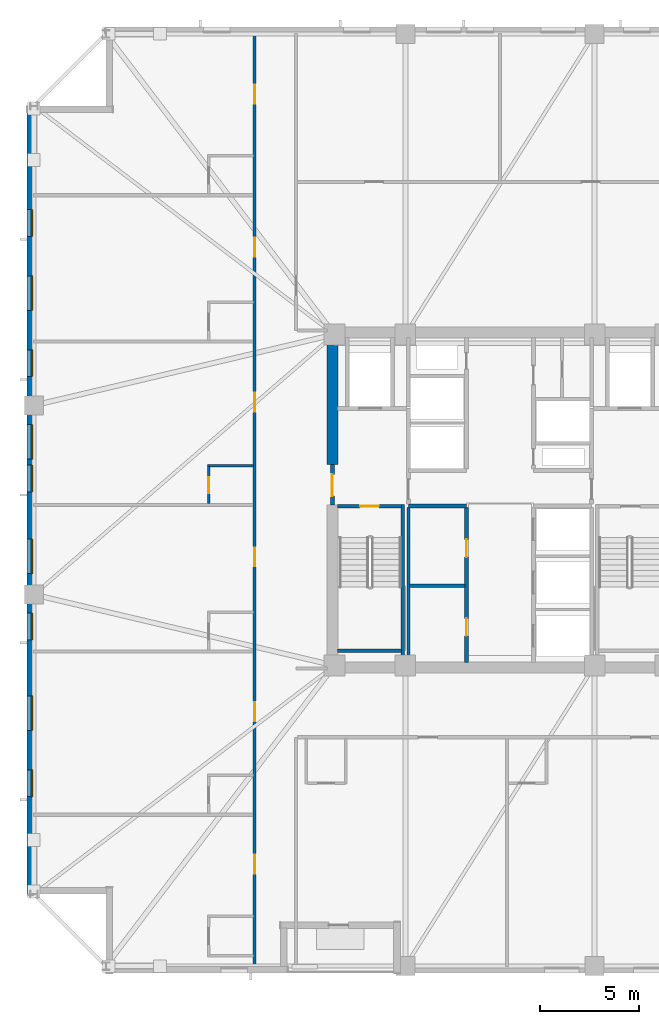
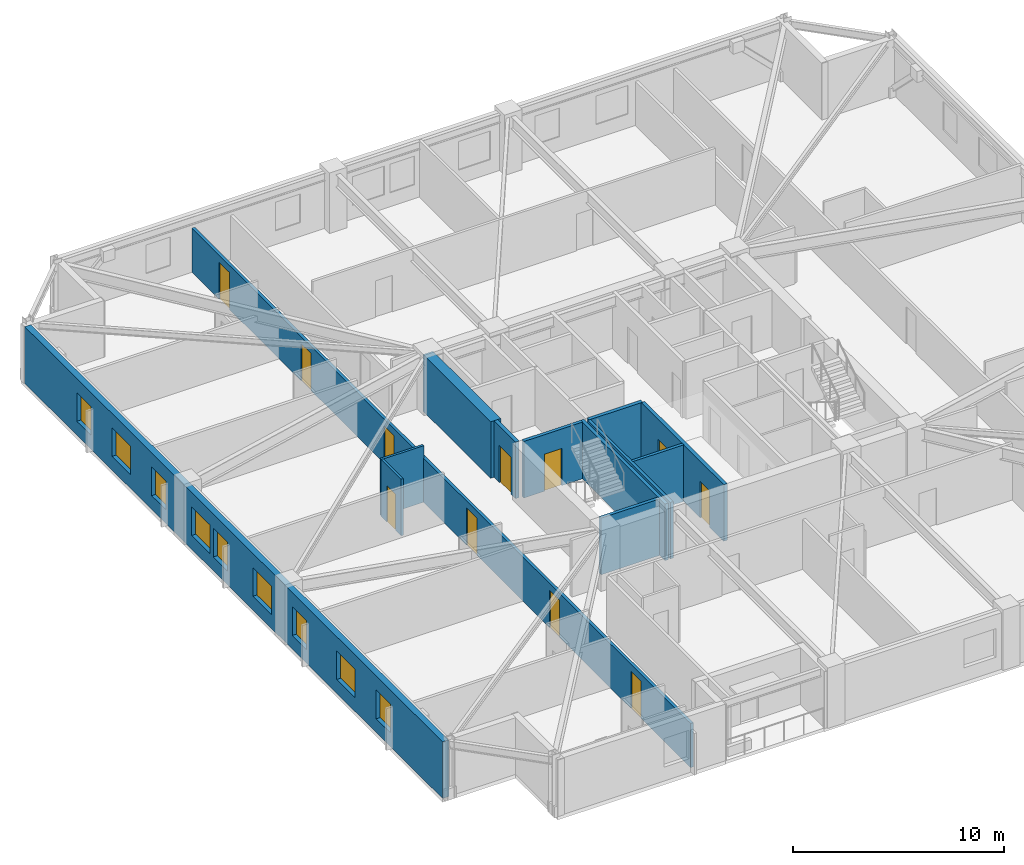
# One storey, part 3 of 11: 13 walls, 11 doors, 9 windows, 20 openings.
"""IFC4 building model written with IfcOpenShell, lengths in metres."""

from ifc_helpers import new_model, si_unit, direction, frame, frame_2d, origin, place, context, subcontext, project, spatial, rectangle, extrude, material, layer, layer_set, type_object, element, fill, save


model = new_model("IFC4")

# Units and contexts
model_context = context("Model", 3, precision=1e-05, world=origin(), true_north=direction((0.0, 1.0)))
body_context = subcontext(model_context, "Body", "Model", "MODEL_VIEW")
ifc_project = project(units=[si_unit("LENGTHUNIT", "METRE"), si_unit("AREAUNIT", "SQUARE_METRE"), si_unit("VOLUMEUNIT", "CUBIC_METRE"), si_unit("PLANEANGLEUNIT", "RADIAN"), si_unit("MASSUNIT", "GRAM", prefix="KILO")], contexts=[model_context])

# Site, building, storey
site_placement = place(None, origin())
site = spatial("IfcSite", under=ifc_project, at=site_placement, CompositionType="ELEMENT")
building_placement = place(site_placement, origin())
building = spatial("IfcBuilding", under=site, at=building_placement, Name="Cairnveth Concourse Tower", CompositionType="ELEMENT")
storey_placement = place(building_placement, frame((0.0, 0.0, 148.0)))
storey = spatial("IfcBuildingStorey", under=building, at=storey_placement, Name="L40", CompositionType="ELEMENT", Elevation=148.0)

# Walls
ifc_material_1 = material(Name="Gypsum Plasterboard Partition", Category="gypsum")
ifc_layer_1 = layer(ifc_material_1, 0.159912109375)
ifc_layer_set_1 = layer_set([ifc_layer_1], Name="Gypsum Plasterboard Partition")
wall_type_1 = type_object("IfcWallType", Name="ACOUSTIC PARTY WALL 180", PredefinedType="PARTITIONING", material=ifc_layer_set_1)
wall_1_placement = place(storey_placement, frame((47.35009765625, 30.760009765625, 0.0), z_axis=(0.0, 0.0, 1.0), x_axis=(0.0, 1.0, 0.0)))
element("IfcWall", 1, at=wall_1_placement, inside=storey, type_object=wall_type_1, Name="Interior Wall IW-L40-025", PredefinedType="PARTITIONING", context=body_context, shape_type="SweptSolid", body=[
    extrude(rectangle(XDim=7.85498046875, YDim=0.159912109375, at=frame_2d((3.927490234375, 0.0))), origin(), (0.0, 0.0, 1.0), 3.280029296875),
])
wall_2_placement = place(storey_placement, frame((47.4150390625, 34.64990234375, 0.0), z_axis=(0.0, 0.0, 1.0), x_axis=(1.0, 0.0, 0.0)))
element("IfcWall", 2, at=wall_2_placement, inside=storey, type_object=wall_type_1, Name="Interior Wall IW-L40-026", PredefinedType="PARTITIONING", context=body_context, shape_type="SweptSolid", body=[
    extrude(rectangle(XDim=2.800048828125, YDim=0.159912109375, at=frame_2d((1.39990234375, 0.0))), origin(), (0.0, 0.0, 1.0), 3.280029296875),
])

# Wall, openings, doors
wall_3_placement = place(storey_placement, frame((39.550048828125, 15.324951171875, 0.0), z_axis=(0.0, 0.0, 1.0), x_axis=(0.0, 1.0, 0.0)))
wall_3 = element("IfcWall", 3, at=wall_3_placement, inside=storey, type_object=wall_type_1, Name="Interior Wall IW-L40-037", PredefinedType="PARTITIONING", context=body_context, shape_type="SweptSolid", body=[
    extrude(rectangle(XDim=47.35009765625, YDim=0.159912109375, at=frame_2d((23.675048828125, 0.0))), origin(), (0.0, 0.0, 1.0), 2.554931640625),
])
opening_1_placement = place(wall_3_placement, frame((4.71826171875, 0.0, 0.0)))
opening_1 = element("IfcOpeningElement", 4, at=opening_1_placement, cuts=wall_3, Name="Opening ID09", PredefinedType="OPENING", context=body_context, shape_type="SweptSolid", body=[
    extrude(rectangle(XDim=0.9599609375, YDim=2.14990234375, at=frame_2d((0.47998046875, 1.074951171875))), frame((0.0, 0.08984375, 0.0), z_axis=(0.0, -1.0, 0.0), x_axis=(1.0, 0.0, 0.0)), (0.0, 0.0, 1.0), 0.179931640625),
])
opening_2_placement = place(wall_3_placement, frame((12.44091796875, 0.0, 0.0)))
opening_2 = element("IfcOpeningElement", 5, at=opening_2_placement, cuts=wall_3, Name="Opening ID09", PredefinedType="OPENING", context=body_context, shape_type="SweptSolid", body=[
    extrude(rectangle(XDim=0.9599609375, YDim=2.14990234375, at=frame_2d((0.47998046875, 1.074951171875))), frame((0.0, 0.08984375, 0.0), z_axis=(0.0, -1.0, 0.0), x_axis=(1.0, 0.0, 0.0)), (0.0, 0.0, 1.0), 0.179931640625),
])
opening_3_placement = place(wall_3_placement, frame((20.301025390625, 0.0, 0.0)))
opening_3 = element("IfcOpeningElement", 6, at=opening_3_placement, cuts=wall_3, Name="Opening ID09", PredefinedType="OPENING", context=body_context, shape_type="SweptSolid", body=[
    extrude(rectangle(XDim=0.9599609375, YDim=2.14990234375, at=frame_2d((0.47998046875, 1.074951171875))), frame((0.0, 0.08984375, 0.0), z_axis=(0.0, -1.0, 0.0), x_axis=(1.0, 0.0, 0.0)), (0.0, 0.0, 1.0), 0.179931640625),
])
opening_4_placement = place(wall_3_placement, frame((28.160888671875, 0.0, 0.0)))
opening_4 = element("IfcOpeningElement", 7, at=opening_4_placement, cuts=wall_3, Name="Opening ID09", PredefinedType="OPENING", context=body_context, shape_type="SweptSolid", body=[
    extrude(rectangle(XDim=0.9599609375, YDim=2.14990234375, at=frame_2d((0.47998046875, 1.074951171875))), frame((0.0, 0.08984375, 0.0), z_axis=(0.0, -1.0, 0.0), x_axis=(1.0, 0.0, 0.0)), (0.0, 0.0, 1.0), 0.179931640625),
])
opening_5_placement = place(wall_3_placement, frame((36.02099609375, 0.0, 0.0)))
opening_5 = element("IfcOpeningElement", 8, at=opening_5_placement, cuts=wall_3, Name="Opening ID09", PredefinedType="OPENING", context=body_context, shape_type="SweptSolid", body=[
    extrude(rectangle(XDim=0.9599609375, YDim=2.14990234375, at=frame_2d((0.47998046875, 1.074951171875))), frame((0.0, 0.08984375, 0.0), z_axis=(0.0, -1.0, 0.0), x_axis=(1.0, 0.0, 0.0)), (0.0, 0.0, 1.0), 0.179931640625),
])
opening_6_placement = place(wall_3_placement, frame((43.793212890625, 0.0, 0.0)))
opening_6 = element("IfcOpeningElement", 9, at=opening_6_placement, cuts=wall_3, Name="Opening ID09", PredefinedType="OPENING", context=body_context, shape_type="SweptSolid", body=[
    extrude(rectangle(XDim=0.9599609375, YDim=2.14990234375, at=frame_2d((0.47998046875, 1.074951171875))), frame((0.0, 0.08984375, 0.0), z_axis=(0.0, -1.0, 0.0), x_axis=(1.0, 0.0, 0.0)), (0.0, 0.0, 1.0), 0.179931640625),
])
ifc_material_2 = material(Name="Solid Core Hardwood Timber Leaf", Category="wood")
door_type_1 = type_object("IfcDoorType", Name="HOTEL ENTRANCE DOOR 960X2150", OperationType="NOTDEFINED", PredefinedType="DOOR", material=ifc_material_2)
door_1_placement = place(opening_1_placement, origin())
door_1 = element("IfcDoor", 10, at=door_1_placement, inside=storey, type_object=door_type_1, Name="Hotel Room Door L40-W1", OperationType="SINGLE_SWING_RIGHT", OverallHeight=2.14990234375, OverallWidth=0.9599609375, PredefinedType="DOOR", context=body_context, shape_type="SweptSolid", body=[
    extrude(rectangle(XDim=0.9599609375, YDim=2.14990234375, at=frame_2d((0.47998046875, 1.074951171875))), frame((0.0, 0.02490234375, 0.0), z_axis=(0.0, -1.0, 0.0), x_axis=(1.0, 0.0, 0.0)), (0.0, 0.0, 1.0), 0.050048828125),
])
fill(opening_1, door_1)
door_2_placement = place(opening_2_placement, origin())
door_2 = element("IfcDoor", 11, at=door_2_placement, inside=storey, type_object=door_type_1, Name="Hotel Room Door L40-W2", OperationType="SINGLE_SWING_RIGHT", OverallHeight=2.14990234375, OverallWidth=0.9599609375, PredefinedType="DOOR", context=body_context, shape_type="SweptSolid", body=[
    extrude(rectangle(XDim=0.9599609375, YDim=2.14990234375, at=frame_2d((0.47998046875, 1.074951171875))), frame((0.0, 0.02490234375, 0.0), z_axis=(0.0, -1.0, 0.0), x_axis=(1.0, 0.0, 0.0)), (0.0, 0.0, 1.0), 0.050048828125),
])
fill(opening_2, door_2)
door_3_placement = place(opening_3_placement, origin())
door_3 = element("IfcDoor", 12, at=door_3_placement, inside=storey, type_object=door_type_1, Name="Hotel Room Door L40-W3", OperationType="SINGLE_SWING_RIGHT", OverallHeight=2.14990234375, OverallWidth=0.9599609375, PredefinedType="DOOR", context=body_context, shape_type="SweptSolid", body=[
    extrude(rectangle(XDim=0.9599609375, YDim=2.14990234375, at=frame_2d((0.47998046875, 1.074951171875))), frame((0.0, 0.02490234375, 0.0), z_axis=(0.0, -1.0, 0.0), x_axis=(1.0, 0.0, 0.0)), (0.0, 0.0, 1.0), 0.050048828125),
])
fill(opening_3, door_3)
door_4_placement = place(opening_4_placement, origin())
door_4 = element("IfcDoor", 13, at=door_4_placement, inside=storey, type_object=door_type_1, Name="Hotel Room Door L40-W4", OperationType="SINGLE_SWING_RIGHT", OverallHeight=2.14990234375, OverallWidth=0.9599609375, PredefinedType="DOOR", context=body_context, shape_type="SweptSolid", body=[
    extrude(rectangle(XDim=0.9599609375, YDim=2.14990234375, at=frame_2d((0.47998046875, 1.074951171875))), frame((0.0, 0.02490234375, 0.0), z_axis=(0.0, -1.0, 0.0), x_axis=(1.0, 0.0, 0.0)), (0.0, 0.0, 1.0), 0.050048828125),
])
fill(opening_4, door_4)
door_5_placement = place(opening_5_placement, origin())
door_5 = element("IfcDoor", 14, at=door_5_placement, inside=storey, type_object=door_type_1, Name="Hotel Room Door L40-W5", OperationType="SINGLE_SWING_RIGHT", OverallHeight=2.14990234375, OverallWidth=0.9599609375, PredefinedType="DOOR", context=body_context, shape_type="SweptSolid", body=[
    extrude(rectangle(XDim=0.9599609375, YDim=2.14990234375, at=frame_2d((0.47998046875, 1.074951171875))), frame((0.0, 0.02490234375, 0.0), z_axis=(0.0, -1.0, 0.0), x_axis=(1.0, 0.0, 0.0)), (0.0, 0.0, 1.0), 0.050048828125),
])
fill(opening_5, door_5)
door_6_placement = place(opening_6_placement, origin())
door_6 = element("IfcDoor", 15, at=door_6_placement, inside=storey, type_object=door_type_1, Name="Hotel Room Door L40-W6", OperationType="SINGLE_SWING_RIGHT", OverallHeight=2.14990234375, OverallWidth=0.9599609375, PredefinedType="DOOR", context=body_context, shape_type="SweptSolid", body=[
    extrude(rectangle(XDim=0.9599609375, YDim=2.14990234375, at=frame_2d((0.47998046875, 1.074951171875))), frame((0.0, 0.02490234375, 0.0), z_axis=(0.0, -1.0, 0.0), x_axis=(1.0, 0.0, 0.0)), (0.0, 0.0, 1.0), 0.050048828125),
])
fill(opening_6, door_6)

# Wall
ifc_material_3 = material(Name="Concrete N80 (80 MPa)", Category="concrete")
ifc_layer_2 = layer(ifc_material_3, 0.550048828125)
ifc_layer_set_2 = layer_set([ifc_layer_2], Name="Concrete N80 (80 MPa)")
wall_type_2 = type_object("IfcWallType", Name="CORE SHEAR WALL 550", PredefinedType="SHEAR", material=ifc_layer_set_2)
wall_4_placement = place(storey_placement, frame((43.5, 40.800048828125, 0.0), z_axis=(0.0, 0.0, 1.0), x_axis=(0.0, 1.0, 0.0)))
element("IfcWall", 16, at=wall_4_placement, inside=storey, type_object=wall_type_2, Name="Core West Shear Wall N L40", PredefinedType="SHEAR", context=body_context, shape_type="SweptSolid", body=[
    extrude(rectangle(XDim=6.43505859375, YDim=0.550048828125, at=frame_2d((3.217529296875, 0.0))), origin(), (0.0, 0.0, 1.0), 3.280029296875),
])

# Wall, opening, door
ifc_material_4 = material(Name="Concrete N50 (50 MPa)", Category="concrete")
ifc_layer_3 = layer(ifc_material_4, 0.179931640625)
ifc_layer_set_3 = layer_set([ifc_layer_3], Name="Concrete N50 (50 MPa)")
wall_type_3 = type_object("IfcWallType", Name="FIRE SHAFT WALL 180", PredefinedType="SOLIDWALL", material=ifc_layer_set_3)
wall_5_placement = place(storey_placement, frame((43.764892578125, 38.68994140625, 0.0), z_axis=(0.0, 0.0, 1.0), x_axis=(1.0, 0.0, 0.0)))
wall_5 = element("IfcWall", 17, at=wall_5_placement, inside=storey, type_object=wall_type_3, Name="Stair ST-1 Shaft Wall NEAR L40", PredefinedType="SOLIDWALL", context=body_context, shape_type="SweptSolid", body=[
    extrude(rectangle(XDim=3.230224609375, YDim=0.179931640625, at=frame_2d((1.615234375, 0.0))), origin(), (0.0, 0.0, 1.0), 3.280029296875),
])
opening_7_placement = place(wall_5_placement, frame((1.139892578125, 0.0, 0.0)))
opening_7 = element("IfcOpeningElement", 18, at=opening_7_placement, cuts=wall_5, Name="Opening ID12", PredefinedType="OPENING", context=body_context, shape_type="SweptSolid", body=[
    extrude(rectangle(XDim=0.949951171875, YDim=2.14990234375, at=frame_2d((0.47509765625, 1.074951171875))), frame((0.0, 0.099853515625, 0.0), z_axis=(0.0, -1.0, 0.0), x_axis=(1.0, 0.0, 0.0)), (0.0, 0.0, 1.0), 0.199951171875),
])
ifc_material_5 = material(Name="Steel Grade 350", Category="steel")
door_type_2 = type_object("IfcDoorType", Name="FIRE STAIR DOOR 950X2150", OperationType="NOTDEFINED", PredefinedType="DOOR", material=ifc_material_5)
door_7_placement = place(opening_7_placement, origin())
door_7 = element("IfcDoor", 19, at=door_7_placement, inside=storey, type_object=door_type_2, Name="Stair ST-1 Fire Door L40", OperationType="SINGLE_SWING_LEFT", OverallHeight=2.14990234375, OverallWidth=0.949951171875, PredefinedType="DOOR", context=body_context, shape_type="SweptSolid", body=[
    extrude(rectangle(XDim=0.949951171875, YDim=2.14990234375, at=frame_2d((0.47509765625, 1.074951171875))), frame((0.0, 0.02490234375, 0.0), z_axis=(0.0, -1.0, 0.0), x_axis=(1.0, 0.0, 0.0)), (0.0, 0.0, 1.0), 0.050048828125),
])
fill(opening_7, door_7)

# Walls
wall_6_placement = place(storey_placement, frame((43.764892578125, 31.360107421875, 0.0), z_axis=(0.0, 0.0, 1.0), x_axis=(1.0, 0.0, 0.0)))
element("IfcWall", 20, at=wall_6_placement, inside=storey, type_object=wall_type_3, Name="Stair ST-1 Shaft Wall FAR L40", PredefinedType="SOLIDWALL", context=body_context, shape_type="SweptSolid", body=[
    extrude(rectangle(XDim=3.230224609375, YDim=0.179931640625, at=frame_2d((1.615234375, 0.0))), origin(), (0.0, 0.0, 1.0), 3.280029296875),
])
wall_7_placement = place(storey_placement, frame((47.070068359375, 38.780029296875, 0.0), z_axis=(0.0, 0.0, 1.0), x_axis=(0.0, -1.0, 0.0)))
element("IfcWall", 21, at=wall_7_placement, inside=storey, type_object=wall_type_3, Name="Stair ST-1 Shaft Wall RGHT L40", PredefinedType="SOLIDWALL", context=body_context, shape_type="SweptSolid", body=[
    extrude(rectangle(XDim=8.01708984375, YDim=0.179931640625, at=frame_2d((4.008544921875, 0.0))), origin(), (0.0, 0.0, 1.0), 3.280029296875),
])
ifc_layer_4 = layer(ifc_material_4, 0.199951171875)
ifc_layer_set_4 = layer_set([ifc_layer_4], Name="Concrete N50 (50 MPa)")
wall_type_4 = type_object("IfcWallType", Name="FIRE SHAFT WALL 200", PredefinedType="SOLIDWALL", material=ifc_layer_set_4)
wall_8_placement = place(storey_placement, frame((47.35009765625, 38.699951171875, 0.0), z_axis=(0.0, 0.0, 1.0), x_axis=(1.0, 0.0, 0.0)))
element("IfcWall", 22, at=wall_8_placement, inside=storey, type_object=wall_type_4, Name="Interior Wall IW-L40-007", PredefinedType="SOLIDWALL", context=body_context, shape_type="SweptSolid", body=[
    extrude(rectangle(XDim=2.949951171875, YDim=0.199951171875, at=frame_2d((1.47509765625, 0.0))), origin(), (0.0, 0.0, 1.0), 3.280029296875),
])

# Wall, openings, doors
wall_9_placement = place(storey_placement, frame((50.300048828125, 30.760009765625, 0.0), z_axis=(0.0, 0.0, 1.0), x_axis=(0.0, 1.0, 0.0)))
wall_9 = element("IfcWall", 23, at=wall_9_placement, inside=storey, type_object=wall_type_4, Name="Interior Wall IW-L40-011", PredefinedType="SOLIDWALL", context=body_context, shape_type="SweptSolid", body=[
    extrude(rectangle(XDim=7.85498046875, YDim=0.199951171875, at=frame_2d((3.927490234375, 0.0))), origin(), (0.0, 0.0, 1.0), 3.280029296875),
])
opening_8_placement = place(wall_9_placement, frame((1.340087890625, 0.0, 0.0)))
opening_8 = element("IfcOpeningElement", 24, at=opening_8_placement, cuts=wall_9, Name="Opening ID26", PredefinedType="OPENING", context=body_context, shape_type="SweptSolid", body=[
    extrude(rectangle(XDim=0.89990234375, YDim=2.1201171875, at=frame_2d((0.449951171875, 1.06005859375))), frame((0.0, 0.10986328125, 0.0), z_axis=(0.0, -1.0, 0.0), x_axis=(1.0, 0.0, 0.0)), (0.0, 0.0, 1.0), 0.219970703125),
])
opening_9_placement = place(wall_9_placement, frame((5.340087890625, 0.0, 0.0)))
opening_9 = element("IfcOpeningElement", 25, at=opening_9_placement, cuts=wall_9, Name="Opening ID26", PredefinedType="OPENING", context=body_context, shape_type="SweptSolid", body=[
    extrude(rectangle(XDim=0.89990234375, YDim=2.1201171875, at=frame_2d((0.449951171875, 1.06005859375))), frame((0.0, 0.10986328125, 0.0), z_axis=(0.0, -1.0, 0.0), x_axis=(1.0, 0.0, 0.0)), (0.0, 0.0, 1.0), 0.219970703125),
])
door_type_3 = type_object("IfcDoorType", Name="CORE TOILET FIRE DOOR 900X2120", OperationType="NOTDEFINED", PredefinedType="DOOR", material=ifc_material_5)
door_8_placement = place(opening_8_placement, origin())
door_8 = element("IfcDoor", 26, at=door_8_placement, inside=storey, type_object=door_type_3, Name="Male WC Door L40", OperationType="SINGLE_SWING_LEFT", OverallHeight=2.1201171875, OverallWidth=0.89990234375, PredefinedType="DOOR", context=body_context, shape_type="SweptSolid", body=[
    extrude(rectangle(XDim=0.89990234375, YDim=2.1201171875, at=frame_2d((0.449951171875, 1.06005859375))), frame((0.0, 0.02490234375, 0.0), z_axis=(0.0, -1.0, 0.0), x_axis=(1.0, 0.0, 0.0)), (0.0, 0.0, 1.0), 0.050048828125),
])
fill(opening_8, door_8)
door_9_placement = place(opening_9_placement, origin())
door_9 = element("IfcDoor", 27, at=door_9_placement, inside=storey, type_object=door_type_3, Name="Female WC Door L40", OperationType="SINGLE_SWING_RIGHT", OverallHeight=2.1201171875, OverallWidth=0.89990234375, PredefinedType="DOOR", context=body_context, shape_type="SweptSolid", body=[
    extrude(rectangle(XDim=0.89990234375, YDim=2.1201171875, at=frame_2d((0.449951171875, 1.06005859375))), frame((0.0, 0.02490234375, 0.0), z_axis=(0.0, -1.0, 0.0), x_axis=(1.0, 0.0, 0.0)), (0.0, 0.0, 1.0), 0.050048828125),
])
fill(opening_9, door_9)

# Wall, opening, door
wall_10_placement = place(storey_placement, frame((43.5, 38.75, 0.0), z_axis=(0.0, 0.0, 1.0), x_axis=(0.0, 1.0, 0.0)))
wall_10 = element("IfcWall", 28, at=wall_10_placement, inside=storey, type_object=wall_type_4, Name="Interior Wall IW-L40-015", PredefinedType="SOLIDWALL", context=body_context, shape_type="SweptSolid", body=[
    extrude(rectangle(XDim=2.050048828125, YDim=0.199951171875, at=frame_2d((1.02490234375, 0.0))), origin(), (0.0, 0.0, 1.0), 3.280029296875),
])
opening_10_placement = place(wall_10_placement, frame((0.449951171875, 0.0, 0.0)))
opening_10 = element("IfcOpeningElement", 29, at=opening_10_placement, cuts=wall_10, Name="Opening ID06", PredefinedType="OPENING", context=body_context, shape_type="SweptSolid", body=[
    extrude(rectangle(XDim=1.10009765625, YDim=2.14990234375, at=frame_2d((0.550048828125, 1.074951171875))), frame((0.0, 0.10986328125, 0.0), z_axis=(0.0, -1.0, 0.0), x_axis=(1.0, 0.0, 0.0)), (0.0, 0.0, 1.0), 0.219970703125),
])
door_type_4 = type_object("IfcDoorType", Name="FIRE CORRIDOR DOOR 1100X2150", OperationType="NOTDEFINED", PredefinedType="DOOR", material=ifc_material_5)
door_10_placement = place(opening_10_placement, origin())
door_10 = element("IfcDoor", 30, at=door_10_placement, inside=storey, type_object=door_type_4, Name="West Wing to FF Lobby Door L40", OperationType="SINGLE_SWING_LEFT", OverallHeight=2.14990234375, OverallWidth=1.10009765625, PredefinedType="DOOR", context=body_context, shape_type="SweptSolid", body=[
    extrude(rectangle(XDim=1.10009765625, YDim=2.14990234375, at=frame_2d((0.550048828125, 1.074951171875))), frame((0.0, 0.02490234375, 0.0), z_axis=(0.0, -1.0, 0.0), x_axis=(1.0, 0.0, 0.0)), (0.0, 0.0, 1.0), 0.050048828125),
])
fill(opening_10, door_10)

# Wall
ifc_layer_5 = layer(ifc_material_1, 0.1298828125)
ifc_layer_set_5 = layer_set([ifc_layer_5], Name="Gypsum Plasterboard Partition")
wall_type_5 = type_object("IfcWallType", Name="WET AREA PARTITION 140", PredefinedType="PLUMBINGWALL", material=ifc_layer_set_5)
wall_11_placement = place(storey_placement, frame((37.169921875, 40.74658203125, 0.0), z_axis=(0.0, 0.0, 1.0), x_axis=(1.0, 0.0, 0.0)))
element("IfcWall", 31, at=wall_11_placement, inside=storey, type_object=wall_type_5, Name="Interior Wall IW-L40-066", PredefinedType="PLUMBINGWALL", context=body_context, shape_type="SweptSolid", body=[
    extrude(rectangle(XDim=2.315185546875, YDim=0.1298828125, at=frame_2d((1.15771484375, 0.0))), origin(), (0.0, 0.0, 1.0), 3.280029296875),
])

# Wall, opening, door
wall_12_placement = place(storey_placement, frame((37.219970703125, 38.8115234375, 0.0), z_axis=(0.0, 0.0, 1.0), x_axis=(0.0, 1.0, 0.0)))
wall_12 = element("IfcWall", 32, at=wall_12_placement, inside=storey, type_object=wall_type_5, Name="Interior Wall IW-L40-067", PredefinedType="PLUMBINGWALL", context=body_context, shape_type="SweptSolid", body=[
    extrude(rectangle(XDim=1.885009765625, YDim=0.1298828125, at=frame_2d((0.9423828125, 0.0))), origin(), (0.0, 0.0, 1.0), 3.280029296875),
])
opening_11_placement = place(wall_12_placement, frame((0.52490234375, 0.0, 0.0)))
opening_11 = element("IfcOpeningElement", 33, at=opening_11_placement, cuts=wall_12, Name="Opening ID22", PredefinedType="OPENING", context=body_context, shape_type="SweptSolid", body=[
    extrude(rectangle(XDim=0.820068359375, YDim=2.10009765625, at=frame_2d((0.41015625, 1.050048828125))), frame((0.0, 0.074951171875, 0.0), z_axis=(0.0, -1.0, 0.0), x_axis=(1.0, 0.0, 0.0)), (0.0, 0.0, 1.0), 0.14990234375),
])
door_type_5 = type_object("IfcDoorType", Name="INTERIOR WC DOOR 820X2100", OperationType="NOTDEFINED", PredefinedType="DOOR", material=ifc_material_2)
door_11_placement = place(opening_11_placement, origin())
door_11 = element("IfcDoor", 34, at=door_11_placement, inside=storey, type_object=door_type_5, Name="En-Suite Door L40-W4", OperationType="SINGLE_SWING_LEFT", OverallHeight=2.10009765625, OverallWidth=0.820068359375, PredefinedType="DOOR", context=body_context, shape_type="SweptSolid", body=[
    extrude(rectangle(XDim=0.820068359375, YDim=2.10009765625, at=frame_2d((0.41015625, 1.050048828125))), frame((0.0, 0.02490234375, 0.0), z_axis=(0.0, -1.0, 0.0), x_axis=(1.0, 0.0, 0.0)), (0.0, 0.0, 1.0), 0.050048828125),
])
fill(opening_11, door_11)

# Wall, openings, windows
ifc_material_6 = material(Name="Hawthorn Red-Ochre Fired Clay Brick Masonry", Category="masonry")
ifc_layer_6 = layer(ifc_material_6, 0.340087890625)
ifc_layer_set_6 = layer_set([ifc_layer_6], Name="Hawthorn Red-Ochre Fired Clay Brick Masonry")
wall_type_6 = type_object("IfcWallType", Name="ZONE 2 BRICK PIER SPANDREL WALL 340", PredefinedType="SOLIDWALL", material=ifc_layer_set_6)
wall_13_placement = place(storey_placement, frame((28.169921875, 19.0, 0.0), z_axis=(0.0, 0.0, 1.0), x_axis=(0.0, 1.0, 0.0)))
wall_13 = element("IfcWall", 35, at=wall_13_placement, inside=storey, type_object=wall_type_6, Name="Exterior Wall EW-L40-S03", PredefinedType="SOLIDWALL", context=body_context, shape_type="SweptSolid", body=[
    extrude(rectangle(XDim=39.681884765625, YDim=0.340087890625, at=frame_2d((19.8408203125, 0.0))), origin(), (0.0, 0.0, 1.0), 3.280029296875),
])
opening_12_placement = place(wall_13_placement, frame((4.951904296875, 0.0, 0.800048828125)))
opening_12 = element("IfcOpeningElement", 36, at=opening_12_placement, cuts=wall_13, Name="Opening W02", PredefinedType="OPENING", context=body_context, shape_type="SweptSolid", body=[
    extrude(rectangle(XDim=1.35009765625, YDim=1.659912109375, at=frame_2d((0.675048828125, 0.830078125))), frame((0.0, 0.179931640625, 0.0), z_axis=(0.0, -1.0, 0.0), x_axis=(1.0, 0.0, 0.0)), (0.0, 0.0, 1.0), 0.360107421875),
])
opening_13_placement = place(wall_13_placement, frame((8.305419921875, 0.0, 0.800048828125)))
opening_13 = element("IfcOpeningElement", 37, at=opening_13_placement, cuts=wall_13, Name="Opening W06", PredefinedType="OPENING", context=body_context, shape_type="SweptSolid", body=[
    extrude(rectangle(XDim=1.75, YDim=1.659912109375, at=frame_2d((0.875, 0.830078125))), frame((0.0, 0.179931640625, 0.0), z_axis=(0.0, -1.0, 0.0), x_axis=(1.0, 0.0, 0.0)), (0.0, 0.0, 1.0), 0.360107421875),
])
opening_14_placement = place(wall_13_placement, frame((12.908935546875, 0.0, 0.800048828125)))
opening_14 = element("IfcOpeningElement", 38, at=opening_14_placement, cuts=wall_13, Name="Opening W02", PredefinedType="OPENING", context=body_context, shape_type="SweptSolid", body=[
    extrude(rectangle(XDim=1.35009765625, YDim=1.659912109375, at=frame_2d((0.675048828125, 0.830078125))), frame((0.0, 0.179931640625, 0.0), z_axis=(0.0, -1.0, 0.0), x_axis=(1.0, 0.0, 0.0)), (0.0, 0.0, 1.0), 0.360107421875),
])
opening_15_placement = place(wall_13_placement, frame((16.262451171875, 0.0, 0.800048828125)))
opening_15 = element("IfcOpeningElement", 39, at=opening_15_placement, cuts=wall_13, Name="Opening W06", PredefinedType="OPENING", context=body_context, shape_type="SweptSolid", body=[
    extrude(rectangle(XDim=1.75, YDim=1.659912109375, at=frame_2d((0.875, 0.830078125))), frame((0.0, 0.179931640625, 0.0), z_axis=(0.0, -1.0, 0.0), x_axis=(1.0, 0.0, 0.0)), (0.0, 0.0, 1.0), 0.360107421875),
])
opening_16_placement = place(wall_13_placement, frame((20.416015625, 0.0, 0.800048828125)))
opening_16 = element("IfcOpeningElement", 40, at=opening_16_placement, cuts=wall_13, Name="Opening W02", PredefinedType="OPENING", context=body_context, shape_type="SweptSolid", body=[
    extrude(rectangle(XDim=1.35009765625, YDim=1.659912109375, at=frame_2d((0.675048828125, 0.830078125))), frame((0.0, 0.179931640625, 0.0), z_axis=(0.0, -1.0, 0.0), x_axis=(1.0, 0.0, 0.0)), (0.0, 0.0, 1.0), 0.360107421875),
])
opening_17_placement = place(wall_13_placement, frame((22.069580078125, 0.0, 0.800048828125)))
opening_17 = element("IfcOpeningElement", 41, at=opening_17_placement, cuts=wall_13, Name="Opening W06", PredefinedType="OPENING", context=body_context, shape_type="SweptSolid", body=[
    extrude(rectangle(XDim=1.75, YDim=1.659912109375, at=frame_2d((0.875, 0.830078125))), frame((0.0, 0.179931640625, 0.0), z_axis=(0.0, -1.0, 0.0), x_axis=(1.0, 0.0, 0.0)), (0.0, 0.0, 1.0), 0.360107421875),
])
opening_18_placement = place(wall_13_placement, frame((26.273193359375, 0.0, 0.800048828125)))
opening_18 = element("IfcOpeningElement", 42, at=opening_18_placement, cuts=wall_13, Name="Opening W02", PredefinedType="OPENING", context=body_context, shape_type="SweptSolid", body=[
    extrude(rectangle(XDim=1.35009765625, YDim=1.659912109375, at=frame_2d((0.675048828125, 0.830078125))), frame((0.0, 0.179931640625, 0.0), z_axis=(0.0, -1.0, 0.0), x_axis=(1.0, 0.0, 0.0)), (0.0, 0.0, 1.0), 0.360107421875),
])
opening_19_placement = place(wall_13_placement, frame((29.626708984375, 0.0, 0.800048828125)))
opening_19 = element("IfcOpeningElement", 43, at=opening_19_placement, cuts=wall_13, Name="Opening W06", PredefinedType="OPENING", context=body_context, shape_type="SweptSolid", body=[
    extrude(rectangle(XDim=1.75, YDim=1.659912109375, at=frame_2d((0.875, 0.830078125))), frame((0.0, 0.179931640625, 0.0), z_axis=(0.0, -1.0, 0.0), x_axis=(1.0, 0.0, 0.0)), (0.0, 0.0, 1.0), 0.360107421875),
])
opening_20_placement = place(wall_13_placement, frame((33.380126953125, 0.0, 0.800048828125)))
opening_20 = element("IfcOpeningElement", 44, at=opening_20_placement, cuts=wall_13, Name="Opening W02", PredefinedType="OPENING", context=body_context, shape_type="SweptSolid", body=[
    extrude(rectangle(XDim=1.35009765625, YDim=1.659912109375, at=frame_2d((0.675048828125, 0.830078125))), frame((0.0, 0.179931640625, 0.0), z_axis=(0.0, -1.0, 0.0), x_axis=(1.0, 0.0, 0.0)), (0.0, 0.0, 1.0), 0.360107421875),
])
ifc_material_7 = material(Name="Double Glazed Low-E Clear Glass", Category="glass")
window_type_1 = type_object("IfcWindowType", Name="DEEP-SET GOTHIC LANCET WINDOW 1350X1800", PartitioningType="DOUBLE_PANEL_VERTICAL", PredefinedType="WINDOW", material=ifc_material_7)
window_1_placement = place(opening_12_placement, origin())
window_1 = element("IfcWindow", 45, at=window_1_placement, inside=storey, type_object=window_type_1, Name="Gothic Lancet Window L40-3-1", OverallHeight=1.659912109375, OverallWidth=1.35009765625, PartitioningType="SINGLE_PANEL", PredefinedType="WINDOW", context=body_context, shape_type="SweptSolid", body=[
    extrude(rectangle(XDim=1.35009765625, YDim=1.659912109375, at=frame_2d((0.675048828125, 0.830078125))), frame((0.0, -0.050048828125, 0.0), z_axis=(0.0, -1.0, 0.0), x_axis=(1.0, 0.0, 0.0)), (0.0, 0.0, 1.0), 0.06005859375),
])
fill(opening_12, window_1)
window_2_placement = place(opening_14_placement, origin())
window_2 = element("IfcWindow", 46, at=window_2_placement, inside=storey, type_object=window_type_1, Name="Gothic Lancet Window L40-3-3", OverallHeight=1.659912109375, OverallWidth=1.35009765625, PartitioningType="SINGLE_PANEL", PredefinedType="WINDOW", context=body_context, shape_type="SweptSolid", body=[
    extrude(rectangle(XDim=1.35009765625, YDim=1.659912109375, at=frame_2d((0.675048828125, 0.830078125))), frame((0.0, -0.050048828125, 0.0), z_axis=(0.0, -1.0, 0.0), x_axis=(1.0, 0.0, 0.0)), (0.0, 0.0, 1.0), 0.06005859375),
])
fill(opening_14, window_2)
window_3_placement = place(opening_16_placement, origin())
window_3 = element("IfcWindow", 47, at=window_3_placement, inside=storey, type_object=window_type_1, Name="Gothic Lancet Window L40-3-5", OverallHeight=1.659912109375, OverallWidth=1.35009765625, PartitioningType="SINGLE_PANEL", PredefinedType="WINDOW", context=body_context, shape_type="SweptSolid", body=[
    extrude(rectangle(XDim=1.35009765625, YDim=1.659912109375, at=frame_2d((0.675048828125, 0.830078125))), frame((0.0, -0.050048828125, 0.0), z_axis=(0.0, -1.0, 0.0), x_axis=(1.0, 0.0, 0.0)), (0.0, 0.0, 1.0), 0.06005859375),
])
fill(opening_16, window_3)
window_4_placement = place(opening_18_placement, origin())
window_4 = element("IfcWindow", 48, at=window_4_placement, inside=storey, type_object=window_type_1, Name="Gothic Lancet Window L40-3-7", OverallHeight=1.659912109375, OverallWidth=1.35009765625, PartitioningType="SINGLE_PANEL", PredefinedType="WINDOW", context=body_context, shape_type="SweptSolid", body=[
    extrude(rectangle(XDim=1.35009765625, YDim=1.659912109375, at=frame_2d((0.675048828125, 0.830078125))), frame((0.0, -0.050048828125, 0.0), z_axis=(0.0, -1.0, 0.0), x_axis=(1.0, 0.0, 0.0)), (0.0, 0.0, 1.0), 0.06005859375),
])
fill(opening_18, window_4)
window_5_placement = place(opening_20_placement, origin())
window_5 = element("IfcWindow", 49, at=window_5_placement, inside=storey, type_object=window_type_1, Name="Gothic Lancet Window L40-3-9", OverallHeight=1.659912109375, OverallWidth=1.35009765625, PartitioningType="SINGLE_PANEL", PredefinedType="WINDOW", context=body_context, shape_type="SweptSolid", body=[
    extrude(rectangle(XDim=1.35009765625, YDim=1.659912109375, at=frame_2d((0.675048828125, 0.830078125))), frame((0.0, -0.050048828125, 0.0), z_axis=(0.0, -1.0, 0.0), x_axis=(1.0, 0.0, 0.0)), (0.0, 0.0, 1.0), 0.06005859375),
])
fill(opening_20, window_5)
window_type_2 = type_object("IfcWindowType", Name="DEEP-SET HOTEL SUITE WINDOW 1750X1800", PartitioningType="DOUBLE_PANEL_VERTICAL", PredefinedType="WINDOW", material=ifc_material_7)
window_6_placement = place(opening_13_placement, origin())
window_6 = element("IfcWindow", 50, at=window_6_placement, inside=storey, type_object=window_type_2, Name="Gothic Lancet Window L40-3-2", OverallHeight=1.659912109375, OverallWidth=1.75, PartitioningType="SINGLE_PANEL", PredefinedType="WINDOW", context=body_context, shape_type="SweptSolid", body=[
    extrude(rectangle(XDim=1.75, YDim=1.659912109375, at=frame_2d((0.875, 0.830078125))), frame((0.0, -0.050048828125, 0.0), z_axis=(0.0, -1.0, 0.0), x_axis=(1.0, 0.0, 0.0)), (0.0, 0.0, 1.0), 0.06005859375),
])
fill(opening_13, window_6)
window_7_placement = place(opening_15_placement, origin())
window_7 = element("IfcWindow", 51, at=window_7_placement, inside=storey, type_object=window_type_2, Name="Gothic Lancet Window L40-3-4", OverallHeight=1.659912109375, OverallWidth=1.75, PartitioningType="SINGLE_PANEL", PredefinedType="WINDOW", context=body_context, shape_type="SweptSolid", body=[
    extrude(rectangle(XDim=1.75, YDim=1.659912109375, at=frame_2d((0.875, 0.830078125))), frame((0.0, -0.050048828125, 0.0), z_axis=(0.0, -1.0, 0.0), x_axis=(1.0, 0.0, 0.0)), (0.0, 0.0, 1.0), 0.06005859375),
])
fill(opening_15, window_7)
window_8_placement = place(opening_17_placement, origin())
window_8 = element("IfcWindow", 52, at=window_8_placement, inside=storey, type_object=window_type_2, Name="Gothic Lancet Window L40-3-6", OverallHeight=1.659912109375, OverallWidth=1.75, PartitioningType="SINGLE_PANEL", PredefinedType="WINDOW", context=body_context, shape_type="SweptSolid", body=[
    extrude(rectangle(XDim=1.75, YDim=1.659912109375, at=frame_2d((0.875, 0.830078125))), frame((0.0, -0.050048828125, 0.0), z_axis=(0.0, -1.0, 0.0), x_axis=(1.0, 0.0, 0.0)), (0.0, 0.0, 1.0), 0.06005859375),
])
fill(opening_17, window_8)
window_9_placement = place(opening_19_placement, origin())
window_9 = element("IfcWindow", 53, at=window_9_placement, inside=storey, type_object=window_type_2, Name="Gothic Lancet Window L40-3-8", OverallHeight=1.659912109375, OverallWidth=1.75, PartitioningType="SINGLE_PANEL", PredefinedType="WINDOW", context=body_context, shape_type="SweptSolid", body=[
    extrude(rectangle(XDim=1.75, YDim=1.659912109375, at=frame_2d((0.875, 0.830078125))), frame((0.0, -0.050048828125, 0.0), z_axis=(0.0, -1.0, 0.0), x_axis=(1.0, 0.0, 0.0)), (0.0, 0.0, 1.0), 0.06005859375),
])
fill(opening_19, window_9)

save(model, "model.ifc")
